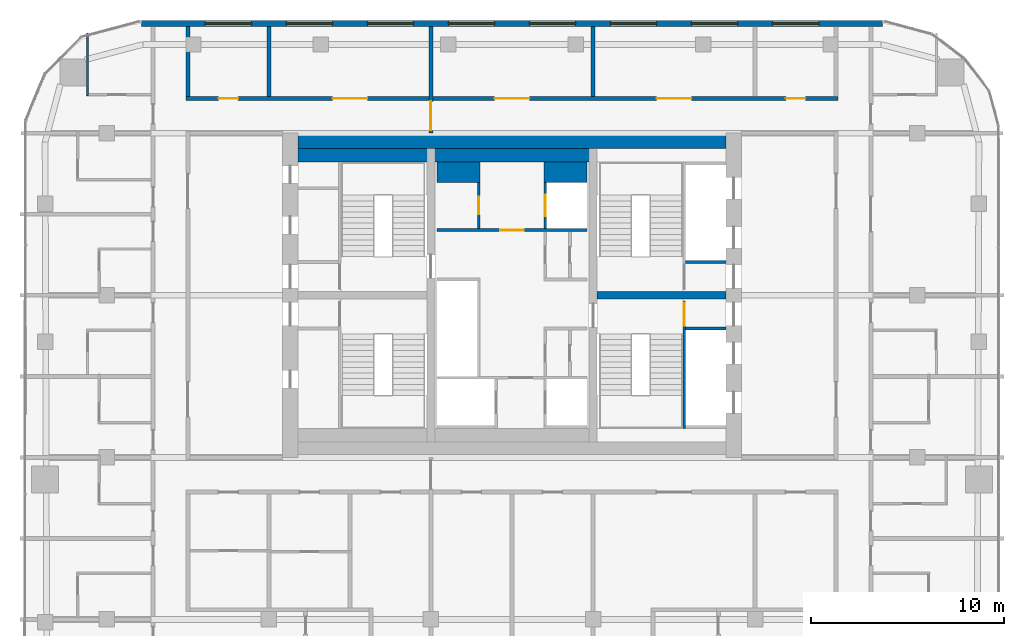
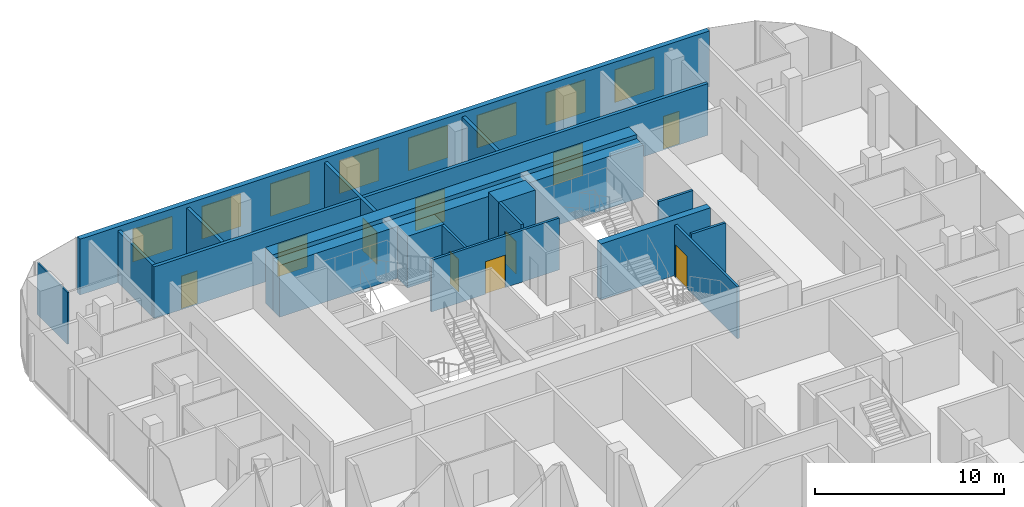
# One storey, part 19 of 22: 18 walls, 10 doors, 8 windows, 18 openings.
"""IFC4 building model written with IfcOpenShell, lengths in metres."""

from ifc_helpers import new_model, si_unit, direction, frame, frame_2d, origin, place, context, subcontext, project, spatial, rectangle, extrude, material, layer, layer_set, type_object, element, fill, save


model = new_model("IFC4")

# Units and contexts
model_context = context("Model", 3, precision=1e-05, world=origin(), true_north=direction((0.0, 1.0)))
body_context = subcontext(model_context, "Body", "Model", "MODEL_VIEW")
ifc_project = project(units=[si_unit("LENGTHUNIT", "METRE"), si_unit("AREAUNIT", "SQUARE_METRE"), si_unit("VOLUMEUNIT", "CUBIC_METRE"), si_unit("PLANEANGLEUNIT", "RADIAN"), si_unit("MASSUNIT", "GRAM", prefix="KILO")], contexts=[model_context])

# Site, building, storey
site_placement = place(None, origin())
site = spatial("IfcSite", under=ifc_project, at=site_placement, CompositionType="ELEMENT")
building_placement = place(site_placement, origin())
building = spatial("IfcBuilding", under=site, at=building_placement, Name="Marenta Gate Hotel Tower", CompositionType="ELEMENT")
storey_placement = place(building_placement, frame((0.0, 0.0, 187.699951171875)))
storey = spatial("IfcBuildingStorey", under=building, at=storey_placement, Name="L42", CompositionType="ELEMENT", Elevation=187.699951171875)

# Wall, openings, windows
ifc_material_1 = material(Name="Concrete C40 board-marked", Category="concrete")
ifc_layer_1 = layer(ifc_material_1, 0.300048828125)
ifc_layer_set_1 = layer_set([ifc_layer_1], Name="Concrete C40 board-marked")
wall_type_1 = type_object("IfcWallType", Name="Board-marked concrete wall 300 mm", PredefinedType="NOTDEFINED", material=ifc_layer_set_1)
wall_1_placement = place(storey_placement, frame((19.205810546875, 22.489990234375, 0.0), z_axis=(0.0, 0.0, 1.0), x_axis=(-1.0, 0.0, 0.0)))
wall_1 = element("IfcWall", 1, at=wall_1_placement, inside=storey, type_object=wall_type_1, Name="L42-CLD-N00", PredefinedType="NOTDEFINED", context=body_context, shape_type="SweptSolid", body=[
    extrude(rectangle(XDim=38.41162109375, YDim=0.300048828125, at=frame_2d((19.205810546875, 0.0))), origin(), (0.0, 0.0, 1.0), 3.60009765625),
])
opening_1_placement = place(wall_1_placement, frame((3.305908203125, 0.0, 0.89990234375)))
opening_1 = element("IfcOpeningElement", 2, at=opening_1_placement, cuts=wall_1, Name="Opening W1", PredefinedType="OPENING", context=body_context, shape_type="SweptSolid", body=[
    extrude(rectangle(XDim=2.39990234375, YDim=2.10009765625, at=frame_2d((1.199951171875, 1.050048828125))), frame((0.0, 0.14990234375, 0.0), z_axis=(0.0, -1.0, 0.0), x_axis=(1.0, 0.0, 0.0)), (0.0, 0.0, 1.0), 0.300048828125),
])
opening_2_placement = place(wall_1_placement, frame((7.505859375, 0.0, 0.89990234375)))
opening_2 = element("IfcOpeningElement", 3, at=opening_2_placement, cuts=wall_1, Name="Opening W1", PredefinedType="OPENING", context=body_context, shape_type="SweptSolid", body=[
    extrude(rectangle(XDim=2.39990234375, YDim=2.10009765625, at=frame_2d((1.199951171875, 1.050048828125))), frame((0.0, 0.14990234375, 0.0), z_axis=(0.0, -1.0, 0.0), x_axis=(1.0, 0.0, 0.0)), (0.0, 0.0, 1.0), 0.300048828125),
])
opening_3_placement = place(wall_1_placement, frame((11.705810546875, 0.0, 0.89990234375)))
opening_3 = element("IfcOpeningElement", 4, at=opening_3_placement, cuts=wall_1, Name="Opening W1", PredefinedType="OPENING", context=body_context, shape_type="SweptSolid", body=[
    extrude(rectangle(XDim=2.39990234375, YDim=2.10009765625, at=frame_2d((1.199951171875, 1.050048828125))), frame((0.0, 0.14990234375, 0.0), z_axis=(0.0, -1.0, 0.0), x_axis=(1.0, 0.0, 0.0)), (0.0, 0.0, 1.0), 0.300048828125),
])
opening_4_placement = place(wall_1_placement, frame((15.906005859375, 0.0, 0.89990234375)))
opening_4 = element("IfcOpeningElement", 5, at=opening_4_placement, cuts=wall_1, Name="Opening W1", PredefinedType="OPENING", context=body_context, shape_type="SweptSolid", body=[
    extrude(rectangle(XDim=2.39990234375, YDim=2.10009765625, at=frame_2d((1.199951171875, 1.050048828125))), frame((0.0, 0.14990234375, 0.0), z_axis=(0.0, -1.0, 0.0), x_axis=(1.0, 0.0, 0.0)), (0.0, 0.0, 1.0), 0.300048828125),
])
opening_5_placement = place(wall_1_placement, frame((20.10595703125, 0.0, 0.89990234375)))
opening_5 = element("IfcOpeningElement", 6, at=opening_5_placement, cuts=wall_1, Name="Opening W1", PredefinedType="OPENING", context=body_context, shape_type="SweptSolid", body=[
    extrude(rectangle(XDim=2.39990234375, YDim=2.10009765625, at=frame_2d((1.199951171875, 1.050048828125))), frame((0.0, 0.14990234375, 0.0), z_axis=(0.0, -1.0, 0.0), x_axis=(1.0, 0.0, 0.0)), (0.0, 0.0, 1.0), 0.300048828125),
])
opening_6_placement = place(wall_1_placement, frame((24.305908203125, 0.0, 0.89990234375)))
opening_6 = element("IfcOpeningElement", 7, at=opening_6_placement, cuts=wall_1, Name="Opening W1", PredefinedType="OPENING", context=body_context, shape_type="SweptSolid", body=[
    extrude(rectangle(XDim=2.39990234375, YDim=2.10009765625, at=frame_2d((1.199951171875, 1.050048828125))), frame((0.0, 0.14990234375, 0.0), z_axis=(0.0, -1.0, 0.0), x_axis=(1.0, 0.0, 0.0)), (0.0, 0.0, 1.0), 0.300048828125),
])
opening_7_placement = place(wall_1_placement, frame((28.505859375, 0.0, 0.89990234375)))
opening_7 = element("IfcOpeningElement", 8, at=opening_7_placement, cuts=wall_1, Name="Opening W1", PredefinedType="OPENING", context=body_context, shape_type="SweptSolid", body=[
    extrude(rectangle(XDim=2.39990234375, YDim=2.10009765625, at=frame_2d((1.199951171875, 1.050048828125))), frame((0.0, 0.14990234375, 0.0), z_axis=(0.0, -1.0, 0.0), x_axis=(1.0, 0.0, 0.0)), (0.0, 0.0, 1.0), 0.300048828125),
])
opening_8_placement = place(wall_1_placement, frame((32.705810546875, 0.0, 0.89990234375)))
opening_8 = element("IfcOpeningElement", 9, at=opening_8_placement, cuts=wall_1, Name="Opening W1", PredefinedType="OPENING", context=body_context, shape_type="SweptSolid", body=[
    extrude(rectangle(XDim=2.39990234375, YDim=2.10009765625, at=frame_2d((1.199951171875, 1.050048828125))), frame((0.0, 0.14990234375, 0.0), z_axis=(0.0, -1.0, 0.0), x_axis=(1.0, 0.0, 0.0)), (0.0, 0.0, 1.0), 0.300048828125),
])
ifc_material_2 = material(Name="Tinted insulated glass in bronze anodised frame", Category="glass")
window_type = type_object("IfcWindowType", Name="Window W1 2400x2100 bronze frame", PartitioningType="SINGLE_PANEL", PredefinedType="WINDOW", material=ifc_material_2)
window_1_placement = place(opening_1_placement, origin())
window_1 = element("IfcWindow", 10, at=window_1_placement, inside=storey, type_object=window_type, Name="Window W1", OverallHeight=2.10009765625, OverallWidth=2.39990234375, PartitioningType="SINGLE_PANEL", PredefinedType="WINDOW", context=body_context, shape_type="SweptSolid", body=[
    extrude(rectangle(XDim=2.39990234375, YDim=2.10009765625, at=frame_2d((1.199951171875, 1.050048828125))), frame((0.0, 0.030029296875, 0.0), z_axis=(0.0, -1.0, 0.0), x_axis=(1.0, 0.0, 0.0)), (0.0, 0.0, 1.0), 0.06005859375),
])
fill(opening_1, window_1)
window_2_placement = place(opening_2_placement, origin())
window_2 = element("IfcWindow", 11, at=window_2_placement, inside=storey, type_object=window_type, Name="Window W1", OverallHeight=2.10009765625, OverallWidth=2.39990234375, PartitioningType="SINGLE_PANEL", PredefinedType="WINDOW", context=body_context, shape_type="SweptSolid", body=[
    extrude(rectangle(XDim=2.39990234375, YDim=2.10009765625, at=frame_2d((1.199951171875, 1.050048828125))), frame((0.0, 0.030029296875, 0.0), z_axis=(0.0, -1.0, 0.0), x_axis=(1.0, 0.0, 0.0)), (0.0, 0.0, 1.0), 0.06005859375),
])
fill(opening_2, window_2)
window_3_placement = place(opening_3_placement, origin())
window_3 = element("IfcWindow", 12, at=window_3_placement, inside=storey, type_object=window_type, Name="Window W1", OverallHeight=2.10009765625, OverallWidth=2.39990234375, PartitioningType="SINGLE_PANEL", PredefinedType="WINDOW", context=body_context, shape_type="SweptSolid", body=[
    extrude(rectangle(XDim=2.39990234375, YDim=2.10009765625, at=frame_2d((1.199951171875, 1.050048828125))), frame((0.0, 0.030029296875, 0.0), z_axis=(0.0, -1.0, 0.0), x_axis=(1.0, 0.0, 0.0)), (0.0, 0.0, 1.0), 0.06005859375),
])
fill(opening_3, window_3)
window_4_placement = place(opening_4_placement, origin())
window_4 = element("IfcWindow", 13, at=window_4_placement, inside=storey, type_object=window_type, Name="Window W1", OverallHeight=2.10009765625, OverallWidth=2.39990234375, PartitioningType="SINGLE_PANEL", PredefinedType="WINDOW", context=body_context, shape_type="SweptSolid", body=[
    extrude(rectangle(XDim=2.39990234375, YDim=2.10009765625, at=frame_2d((1.199951171875, 1.050048828125))), frame((0.0, 0.030029296875, 0.0), z_axis=(0.0, -1.0, 0.0), x_axis=(1.0, 0.0, 0.0)), (0.0, 0.0, 1.0), 0.06005859375),
])
fill(opening_4, window_4)
window_5_placement = place(opening_5_placement, origin())
window_5 = element("IfcWindow", 14, at=window_5_placement, inside=storey, type_object=window_type, Name="Window W1", OverallHeight=2.10009765625, OverallWidth=2.39990234375, PartitioningType="SINGLE_PANEL", PredefinedType="WINDOW", context=body_context, shape_type="SweptSolid", body=[
    extrude(rectangle(XDim=2.39990234375, YDim=2.10009765625, at=frame_2d((1.199951171875, 1.050048828125))), frame((0.0, 0.030029296875, 0.0), z_axis=(0.0, -1.0, 0.0), x_axis=(1.0, 0.0, 0.0)), (0.0, 0.0, 1.0), 0.06005859375),
])
fill(opening_5, window_5)
window_6_placement = place(opening_6_placement, origin())
window_6 = element("IfcWindow", 15, at=window_6_placement, inside=storey, type_object=window_type, Name="Window W1", OverallHeight=2.10009765625, OverallWidth=2.39990234375, PartitioningType="SINGLE_PANEL", PredefinedType="WINDOW", context=body_context, shape_type="SweptSolid", body=[
    extrude(rectangle(XDim=2.39990234375, YDim=2.10009765625, at=frame_2d((1.199951171875, 1.050048828125))), frame((0.0, 0.030029296875, 0.0), z_axis=(0.0, -1.0, 0.0), x_axis=(1.0, 0.0, 0.0)), (0.0, 0.0, 1.0), 0.06005859375),
])
fill(opening_6, window_6)
window_7_placement = place(opening_7_placement, origin())
window_7 = element("IfcWindow", 16, at=window_7_placement, inside=storey, type_object=window_type, Name="Window W1", OverallHeight=2.10009765625, OverallWidth=2.39990234375, PartitioningType="SINGLE_PANEL", PredefinedType="WINDOW", context=body_context, shape_type="SweptSolid", body=[
    extrude(rectangle(XDim=2.39990234375, YDim=2.10009765625, at=frame_2d((1.199951171875, 1.050048828125))), frame((0.0, 0.030029296875, 0.0), z_axis=(0.0, -1.0, 0.0), x_axis=(1.0, 0.0, 0.0)), (0.0, 0.0, 1.0), 0.06005859375),
])
fill(opening_7, window_7)
window_8_placement = place(opening_8_placement, origin())
window_8 = element("IfcWindow", 17, at=window_8_placement, inside=storey, type_object=window_type, Name="Window W1", OverallHeight=2.10009765625, OverallWidth=2.39990234375, PartitioningType="SINGLE_PANEL", PredefinedType="WINDOW", context=body_context, shape_type="SweptSolid", body=[
    extrude(rectangle(XDim=2.39990234375, YDim=2.10009765625, at=frame_2d((1.199951171875, 1.050048828125))), frame((0.0, 0.030029296875, 0.0), z_axis=(0.0, -1.0, 0.0), x_axis=(1.0, 0.0, 0.0)), (0.0, 0.0, 1.0), 0.06005859375),
])
fill(opening_8, window_8)

# Wall, opening, door
ifc_material_3 = material(Name="Concrete blockwork", Category="masonry")
ifc_layer_2 = layer(ifc_material_3, 0.199951171875)
ifc_layer_set_2 = layer_set([ifc_layer_2], Name="Concrete blockwork")
wall_type_2 = type_object("IfcWallType", Name="Compartment wall 200 REI 180", PredefinedType="PARTITIONING", material=ifc_layer_set_2)
wall_2_placement = place(storey_placement, frame((-4.199951171875, 16.800048828125, 0.0), z_axis=(0.0, 0.0, 1.0), x_axis=(0.0, 1.0, 0.0)))
wall_2 = element("IfcWall", 18, at=wall_2_placement, inside=storey, type_object=wall_type_2, Name="L42-PTN-W082", PredefinedType="PARTITIONING", context=body_context, shape_type="SweptSolid", body=[
    extrude(rectangle(XDim=5.5400390625, YDim=0.199951171875, at=frame_2d((2.77001953125, 0.0))), origin(), (0.0, 0.0, 1.0), 3.340087890625),
])
opening_9_placement = place(wall_2_placement, frame((0.14990234375, 0.0, 0.0)))
opening_9 = element("IfcOpeningElement", 19, at=opening_9_placement, cuts=wall_2, Name="Opening G15-FD1", PredefinedType="OPENING", context=body_context, shape_type="SweptSolid", body=[
    extrude(rectangle(XDim=1.5, YDim=2.10009765625, at=frame_2d((0.75, 1.050048828125))), frame((0.0, 0.10009765625, 0.0), z_axis=(0.0, -1.0, 0.0), x_axis=(1.0, 0.0, 0.0)), (0.0, 0.0, 1.0), 0.199951171875),
])
ifc_material_4 = material(Name="Hollow steel door set", Category="steel")
door_type_1 = type_object("IfcDoorType", Name="Compartment fire door 1500x2100 EI 60", OperationType="DOUBLE_DOOR_DOUBLE_SWING", PredefinedType="DOOR", material=ifc_material_4)
door_1_placement = place(opening_9_placement, origin())
door_1 = element("IfcDoor", 20, at=door_1_placement, inside=storey, type_object=door_type_1, Name="L42-PD-FD01", OperationType="DOUBLE_DOOR_DOUBLE_SWING", OverallHeight=2.10009765625, OverallWidth=1.5, PredefinedType="DOOR", context=body_context, shape_type="SweptSolid", body=[
    extrude(rectangle(XDim=1.5, YDim=2.10009765625, at=frame_2d((0.75, 1.050048828125))), frame((0.0, 0.02490234375, 0.0), z_axis=(0.0, -1.0, 0.0), x_axis=(1.0, 0.0, 0.0)), (0.0, 0.0, 1.0), 0.050048828125),
])
fill(opening_9, door_1)

# Wall
ifc_material_5 = material(Name="Concrete C40", Category="concrete")
ifc_layer_3 = layer(ifc_material_5, 0.699951171875)
ifc_layer_set_3 = layer_set([ifc_layer_3], Name="Concrete C40")
wall_type_3 = type_object("IfcWallType", Name="Core lining wall 700 REI 180", PredefinedType="PARTITIONING", material=ifc_layer_set_3)
wall_3_placement = place(storey_placement, frame((-11.10009765625, 15.64990234375, 0.0), z_axis=(0.0, 0.0, 1.0), x_axis=(1.0, 0.0, 0.0)))
element("IfcWall", 21, at=wall_3_placement, inside=storey, type_object=wall_type_3, Name="L42-CP-LN-N", PredefinedType="PARTITIONING", context=body_context, shape_type="SweptSolid", body=[
    extrude(rectangle(XDim=22.2001953125, YDim=0.699951171875, at=frame_2d((11.10009765625, 0.0))), origin(), (0.0, 0.0, 1.0), 3.340087890625),
])

# Wall, opening, door
ifc_material_6 = material(Name="Concrete blockwork", Category="masonry")
ifc_layer_4 = layer(ifc_material_6, 0.14990234375)
ifc_layer_set_4 = layer_set([ifc_layer_4], Name="Concrete blockwork")
wall_type_4 = type_object("IfcWallType", Name="Core lobby partition 150 REI 180", PredefinedType="PARTITIONING", material=ifc_layer_set_4)
wall_4_placement = place(storey_placement, frame((-3.89990234375, 11.77490234375, 0.0), z_axis=(0.0, 0.0, 1.0), x_axis=(1.0, 0.0, 0.0)))
wall_4 = element("IfcWall", 22, at=wall_4_placement, inside=storey, type_object=wall_type_4, Name="L42-CP-CW-N", PredefinedType="PARTITIONING", context=body_context, shape_type="SweptSolid", body=[
    extrude(rectangle(XDim=7.7998046875, YDim=0.14990234375, at=frame_2d((3.89990234375, 0.0))), origin(), (0.0, 0.0, 1.0), 3.340087890625),
])
opening_10_placement = place(wall_4_placement, frame((3.300048828125, 0.0, 0.0)))
opening_10 = element("IfcOpeningElement", 23, at=opening_10_placement, cuts=wall_4, Name="Opening FD-FFN", PredefinedType="OPENING", context=body_context, shape_type="SweptSolid", body=[
    extrude(rectangle(XDim=1.199951171875, YDim=2.10009765625, at=frame_2d((0.60009765625, 1.050048828125))), frame((0.0, 0.074951171875, 0.0), z_axis=(0.0, -1.0, 0.0), x_axis=(1.0, 0.0, 0.0)), (0.0, 0.0, 1.0), 0.14990234375),
])
ifc_material_7 = material(Name="Steel", Category="steel")
door_type_2 = type_object("IfcDoorType", Name="Core lobby door 1200x2100 FD60", OperationType="SINGLE_SWING_LEFT", PredefinedType="DOOR", material=ifc_material_7)
door_2_placement = place(opening_10_placement, origin())
door_2 = element("IfcDoor", 24, at=door_2_placement, inside=storey, type_object=door_type_2, Name="FD-FFN", OperationType="SINGLE_SWING_LEFT", OverallHeight=2.10009765625, OverallWidth=1.199951171875, PredefinedType="DOOR", context=body_context, shape_type="SweptSolid", body=[
    extrude(rectangle(XDim=1.199951171875, YDim=2.10009765625, at=frame_2d((0.60009765625, 1.050048828125))), frame((0.0, 0.02490234375, 0.0), z_axis=(0.0, -1.0, 0.0), x_axis=(1.0, 0.0, 0.0)), (0.0, 0.0, 1.0), 0.050048828125),
])
fill(opening_10, door_2)

# Wall
ifc_material_8 = material(Name="Concrete blockwork", Category="masonry")
ifc_layer_5 = layer(ifc_material_8, 1.050048828125)
ifc_layer_set_5 = layer_set([ifc_layer_5], Name="Concrete blockwork")
wall_type_5 = type_object("IfcWallType", Name="Core room partition 1050 REI 180", PredefinedType="PARTITIONING", material=ifc_layer_set_5)
wall_5_placement = place(storey_placement, frame((-3.89990234375, 14.77490234375, 0.0), z_axis=(0.0, 0.0, 1.0), x_axis=(1.0, 0.0, 0.0)))
element("IfcWall", 25, at=wall_5_placement, inside=storey, type_object=wall_type_5, Name="L42-CP-CW-W-riser-N", PredefinedType="PARTITIONING", context=body_context, shape_type="SweptSolid", body=[
    extrude(rectangle(XDim=2.25, YDim=1.050048828125, at=frame_2d((1.125, 0.0))), origin(), (0.0, 0.0, 1.0), 3.340087890625),
])

# Wall, opening, door
ifc_material_9 = material(Name="Concrete blockwork", Category="masonry")
ifc_layer_6 = layer(ifc_material_9, 0.14990234375)
ifc_layer_set_6 = layer_set([ifc_layer_6], Name="Concrete blockwork")
wall_type_6 = type_object("IfcWallType", Name="Core room partition 150 REI 180", PredefinedType="PARTITIONING", material=ifc_layer_set_6)
wall_6_placement = place(storey_placement, frame((-1.72509765625, 11.85009765625, 0.0), z_axis=(0.0, 0.0, 1.0), x_axis=(0.0, 1.0, 0.0)))
wall_6 = element("IfcWall", 26, at=wall_6_placement, inside=storey, type_object=wall_type_6, Name="L42-CP-CW-W-riser-front", PredefinedType="PARTITIONING", context=body_context, shape_type="SweptSolid", body=[
    extrude(rectangle(XDim=2.39990234375, YDim=0.14990234375, at=frame_2d((1.199951171875, 0.0))), origin(), (0.0, 0.0, 1.0), 3.340087890625),
])
opening_11_placement = place(wall_6_placement, frame((0.75, 0.0, 0.0)))
opening_11 = element("IfcOpeningElement", 27, at=opening_11_placement, cuts=wall_6, Name="Opening RD-CRISER", PredefinedType="OPENING", context=body_context, shape_type="SweptSolid", body=[
    extrude(rectangle(XDim=0.89990234375, YDim=2.10009765625, at=frame_2d((0.449951171875, 1.050048828125))), frame((0.0, 0.074951171875, 0.0), z_axis=(0.0, -1.0, 0.0), x_axis=(1.0, 0.0, 0.0)), (0.0, 0.0, 1.0), 0.14990234375),
])
ifc_material_10 = material(Name="Steel", Category="steel")
door_type_3 = type_object("IfcDoorType", Name="Core riser door 900x2100 FD60", OperationType="SINGLE_SWING_LEFT", PredefinedType="DOOR", material=ifc_material_10)
door_3_placement = place(opening_11_placement, origin())
door_3 = element("IfcDoor", 28, at=door_3_placement, inside=storey, type_object=door_type_3, Name="RD-CRISER", OperationType="SINGLE_SWING_LEFT", OverallHeight=2.10009765625, OverallWidth=0.89990234375, PredefinedType="DOOR", context=body_context, shape_type="SweptSolid", body=[
    extrude(rectangle(XDim=0.89990234375, YDim=2.10009765625, at=frame_2d((0.449951171875, 1.050048828125))), frame((0.0, 0.02490234375, 0.0), z_axis=(0.0, -1.0, 0.0), x_axis=(1.0, 0.0, 0.0)), (0.0, 0.0, 1.0), 0.050048828125),
])
fill(opening_11, door_3)

# Walls
ifc_material_11 = material(Name="Concrete C40", Category="concrete")
ifc_layer_7 = layer(ifc_material_11, 1.050048828125)
ifc_layer_set_7 = layer_set([ifc_layer_7], Name="Concrete C40")
wall_type_7 = type_object("IfcWallType", Name="Core shaft wall 1050 REI 180", PredefinedType="SHEAR", material=ifc_layer_set_7)
wall_7_placement = place(storey_placement, frame((1.64990234375, 14.77490234375, 0.0), z_axis=(0.0, 0.0, 1.0), x_axis=(1.0, 0.0, 0.0)))
element("IfcWall", 29, at=wall_7_placement, inside=storey, type_object=wall_type_7, Name="L42-SHF-CE-N-top", PredefinedType="SHEAR", context=body_context, shape_type="SweptSolid", body=[
    extrude(rectangle(XDim=2.25, YDim=1.050048828125, at=frame_2d((1.125, 0.0))), origin(), (0.0, 0.0, 1.0), 3.60009765625),
])
ifc_material_12 = material(Name="Concrete C40", Category="concrete")
ifc_layer_8 = layer(ifc_material_12, 0.14990234375)
ifc_layer_set_8 = layer_set([ifc_layer_8], Name="Concrete C40")
wall_type_8 = type_object("IfcWallType", Name="Core shaft wall 150 REI 180", PredefinedType="SHEAR", material=ifc_layer_set_8)
for number, where, z_axis, x_axis, name in (
    (30, (9.0, 6.675048828125, 0.0), (0.0, 0.0, 1.0), (1.0, 0.0, 0.0), "L42-SHF-SW-ES-2"),
    (31, (9.0, 10.125, 0.0), (0.0, 0.0, 1.0), (1.0, 0.0, 0.0), "L42-SHF-SW-EN-2"),
):
    element("IfcWall", number, at=place(storey_placement, frame(where, z_axis=z_axis, x_axis=x_axis)), inside=storey, type_object=wall_type_8, Name=name, PredefinedType="SHEAR", context=body_context, shape_type="SweptSolid", body=[
        extrude(rectangle(XDim=2.10009765625, YDim=0.14990234375, at=frame_2d((1.050048828125, 0.0))), origin(), (0.0, 0.0, 1.0), 3.60009765625),
    ])

# Wall, opening, door
wall_8_placement = place(storey_placement, frame((1.72509765625, 11.85009765625, 0.0), z_axis=(0.0, 0.0, 1.0), x_axis=(0.0, 1.0, 0.0)))
wall_8 = element("IfcWall", 32, at=wall_8_placement, inside=storey, type_object=wall_type_8, Name="L42-SHF-CE-N-front2", PredefinedType="SHEAR", context=body_context, shape_type="SweptSolid", body=[
    extrude(rectangle(XDim=2.39990234375, YDim=0.14990234375, at=frame_2d((1.199951171875, 0.0))), origin(), (0.0, 0.0, 1.0), 3.60009765625),
])
opening_12_placement = place(wall_8_placement, frame((0.64990234375, 0.0, 0.0)))
opening_12 = element("IfcOpeningElement", 33, at=opening_12_placement, cuts=wall_8, Name="Opening LD-FF2", PredefinedType="OPENING", context=body_context, shape_type="SweptSolid", body=[
    extrude(rectangle(XDim=1.10009765625, YDim=2.10009765625, at=frame_2d((0.550048828125, 1.050048828125))), frame((0.0, 0.074951171875, 0.0), z_axis=(0.0, -1.0, 0.0), x_axis=(1.0, 0.0, 0.0)), (0.0, 0.0, 1.0), 0.14990234375),
])
ifc_material_13 = material(Name="Steel", Category="steel")
door_type_4 = type_object("IfcDoorType", Name="Core lift landing door 1100x2100 E 60", OperationType="SLIDING_TO_LEFT", PredefinedType="DOOR", material=ifc_material_13)
door_4_placement = place(opening_12_placement, origin())
door_4 = element("IfcDoor", 34, at=door_4_placement, inside=storey, type_object=door_type_4, Name="LD-FF2", OperationType="SLIDING_TO_LEFT", OverallHeight=2.10009765625, OverallWidth=1.10009765625, PredefinedType="DOOR", context=body_context, shape_type="SweptSolid", body=[
    extrude(rectangle(XDim=1.10009765625, YDim=2.10009765625, at=frame_2d((0.550048828125, 1.050048828125))), frame((0.0, 0.02490234375, 0.0), z_axis=(0.0, -1.0, 0.0), x_axis=(1.0, 0.0, 0.0)), (0.0, 0.0, 1.0), 0.050048828125),
])
fill(opening_12, door_4)

ifc_material_14 = material(Name="Concrete C40", Category="concrete")
ifc_layer_9 = layer(ifc_material_14, 0.14990234375)
ifc_layer_set_9 = layer_set([ifc_layer_9], Name="Concrete C40")
wall_type_9 = type_object("IfcWallType", Name="Core stair enclosure wall 150 REI 180", PredefinedType="SHEAR", material=ifc_layer_set_9)
wall_9_placement = place(storey_placement, frame((8.925048828125, 1.5, 0.0), z_axis=(0.0, 0.0, 1.0), x_axis=(0.0, 1.0, 0.0)))
wall_9 = element("IfcWall", 35, at=wall_9_placement, inside=storey, type_object=wall_type_9, Name="L42-SHF-SW-ES-3", PredefinedType="SHEAR", context=body_context, shape_type="SweptSolid", body=[
    extrude(rectangle(XDim=6.60009765625, YDim=0.14990234375, at=frame_2d((3.300048828125, 0.0))), origin(), (0.0, 0.0, 1.0), 3.340087890625),
])
opening_13_placement = place(wall_9_placement, frame((5.324951171875, 0.0, 0.0)))
opening_13 = element("IfcOpeningElement", 36, at=opening_13_placement, cuts=wall_9, Name="Opening SD-ES", PredefinedType="OPENING", context=body_context, shape_type="SweptSolid", body=[
    extrude(rectangle(XDim=1.199951171875, YDim=2.10009765625, at=frame_2d((0.60009765625, 1.050048828125))), frame((0.0, 0.074951171875, 0.0), z_axis=(0.0, -1.0, 0.0), x_axis=(1.0, 0.0, 0.0)), (0.0, 0.0, 1.0), 0.14990234375),
])
ifc_material_15 = material(Name="Steel", Category="steel")
door_type_5 = type_object("IfcDoorType", Name="Core stair door 1200x2100 FD60", OperationType="SINGLE_SWING_LEFT", PredefinedType="DOOR", material=ifc_material_15)
door_5_placement = place(opening_13_placement, origin())
door_5 = element("IfcDoor", 37, at=door_5_placement, inside=storey, type_object=door_type_5, Name="SD-ES", OperationType="SINGLE_SWING_LEFT", OverallHeight=2.10009765625, OverallWidth=1.199951171875, PredefinedType="DOOR", context=body_context, shape_type="SweptSolid", body=[
    extrude(rectangle(XDim=1.199951171875, YDim=2.10009765625, at=frame_2d((0.60009765625, 1.050048828125))), frame((0.0, 0.02490234375, 0.0), z_axis=(0.0, -1.0, 0.0), x_axis=(1.0, 0.0, 0.0)), (0.0, 0.0, 1.0), 0.050048828125),
])
fill(opening_13, door_5)

# Walls
ifc_material_16 = material(Name="Concrete C60", Category="concrete")
ifc_layer_10 = layer(ifc_material_16, 0.800048828125)
ifc_layer_set_10 = layer_set([ifc_layer_10], Name="Concrete C60")
wall_type_10 = type_object("IfcWallType", Name="Core wall 800 C60", PredefinedType="SHEAR", material=ifc_layer_set_10)
wall_10_placement = place(storey_placement, frame((-11.10009765625, 16.39990234375, 0.0), z_axis=(0.0, 0.0, 1.0), x_axis=(1.0, 0.0, 0.0)))
element("IfcWall", 38, at=wall_10_placement, inside=storey, type_object=wall_type_10, Name="L42-CORE-N", PredefinedType="SHEAR", context=body_context, shape_type="SweptSolid", body=[
    extrude(rectangle(XDim=22.2001953125, YDim=0.800048828125, at=frame_2d((11.10009765625, 0.0))), origin(), (0.0, 0.0, 1.0), 3.60009765625),
])
ifc_material_17 = material(Name="Concrete C60", Category="concrete")
ifc_layer_11 = layer(ifc_material_17, 0.39990234375)
ifc_layer_set_11 = layer_set([ifc_layer_11], Name="Concrete C60")
wall_type_11 = type_object("IfcWallType", Name="Core web 400 C60", PredefinedType="SHEAR", material=ifc_layer_set_11)
wall_11_placement = place(storey_placement, frame((4.39990234375, 8.39990234375, 0.0), z_axis=(0.0, 0.0, 1.0), x_axis=(1.0, 0.0, 0.0)))
element("IfcWall", 39, at=wall_11_placement, inside=storey, type_object=wall_type_11, Name="L42-CORE-W4", PredefinedType="SHEAR", context=body_context, shape_type="SweptSolid", body=[
    extrude(rectangle(XDim=6.7001953125, YDim=0.39990234375, at=frame_2d((3.35009765625, 0.0))), origin(), (0.0, 0.0, 1.0), 3.60009765625),
])
ifc_material_18 = material(Name="Gypsum board on steel stud", Category="steel")
ifc_layer_12 = layer(ifc_material_18, 0.199951171875)
ifc_layer_set_12 = layer_set([ifc_layer_12], Name="Gypsum board on steel stud")
wall_type_12 = type_object("IfcWallType", Name="Room corridor wall 200 EI 60", PredefinedType="PARTITIONING", material=ifc_layer_set_12)
wall_12_placement = place(storey_placement, frame((-16.800048828125, 18.699951171875, 0.0), z_axis=(0.0, 0.0, 1.0), x_axis=(0.0, 1.0, 0.0)))
element("IfcWall", 40, at=wall_12_placement, inside=storey, type_object=wall_type_12, Name="L42-PTN-W109", PredefinedType="PARTITIONING", context=body_context, shape_type="SweptSolid", body=[
    extrude(rectangle(XDim=3.64013671875, YDim=0.199951171875, at=frame_2d((1.820068359375, 0.0))), origin(), (0.0, 0.0, 1.0), 3.340087890625),
])

# Wall, openings, doors
wall_13_placement = place(storey_placement, frame((-16.89990234375, 18.60009765625, 0.0), z_axis=(0.0, 0.0, 1.0), x_axis=(1.0, 0.0, 0.0)))
wall_13 = element("IfcWall", 41, at=wall_13_placement, inside=storey, type_object=wall_type_12, Name="L42-PTN-W113", PredefinedType="PARTITIONING", context=body_context, shape_type="SweptSolid", body=[
    extrude(rectangle(XDim=33.7998046875, YDim=0.199951171875, at=frame_2d((16.89990234375, 0.0))), origin(), (0.0, 0.0, 1.0), 3.340087890625),
])
opening_14_placement = place(wall_13_placement, frame((1.699951171875, 0.0, 0.0)))
opening_14 = element("IfcOpeningElement", 42, at=opening_14_placement, cuts=wall_13, Name="Opening G15-37", PredefinedType="OPENING", context=body_context, shape_type="SweptSolid", body=[
    extrude(rectangle(XDim=1.0, YDim=2.10009765625, at=frame_2d((0.5, 1.050048828125))), frame((0.0, 0.10009765625, 0.0), z_axis=(0.0, -1.0, 0.0), x_axis=(1.0, 0.0, 0.0)), (0.0, 0.0, 1.0), 0.199951171875),
])
opening_15_placement = place(wall_13_placement, frame((7.60009765625, 0.0, 0.0)))
opening_15 = element("IfcOpeningElement", 43, at=opening_15_placement, cuts=wall_13, Name="Opening G15-38", PredefinedType="OPENING", context=body_context, shape_type="SweptSolid", body=[
    extrude(rectangle(XDim=1.800048828125, YDim=2.10009765625, at=frame_2d((0.89990234375, 1.050048828125))), frame((0.0, 0.10009765625, 0.0), z_axis=(0.0, -1.0, 0.0), x_axis=(1.0, 0.0, 0.0)), (0.0, 0.0, 1.0), 0.199951171875),
])
opening_16_placement = place(wall_13_placement, frame((16.0, 0.0, 0.0)))
opening_16 = element("IfcOpeningElement", 44, at=opening_16_placement, cuts=wall_13, Name="Opening G15-39", PredefinedType="OPENING", context=body_context, shape_type="SweptSolid", body=[
    extrude(rectangle(XDim=1.800048828125, YDim=2.10009765625, at=frame_2d((0.89990234375, 1.050048828125))), frame((0.0, 0.10009765625, 0.0), z_axis=(0.0, -1.0, 0.0), x_axis=(1.0, 0.0, 0.0)), (0.0, 0.0, 1.0), 0.199951171875),
])
opening_17_placement = place(wall_13_placement, frame((24.39990234375, 0.0, 0.0)))
opening_17 = element("IfcOpeningElement", 45, at=opening_17_placement, cuts=wall_13, Name="Opening G15-40", PredefinedType="OPENING", context=body_context, shape_type="SweptSolid", body=[
    extrude(rectangle(XDim=1.800048828125, YDim=2.10009765625, at=frame_2d((0.89990234375, 1.050048828125))), frame((0.0, 0.10009765625, 0.0), z_axis=(0.0, -1.0, 0.0), x_axis=(1.0, 0.0, 0.0)), (0.0, 0.0, 1.0), 0.199951171875),
])
opening_18_placement = place(wall_13_placement, frame((31.10009765625, 0.0, 0.0)))
opening_18 = element("IfcOpeningElement", 46, at=opening_18_placement, cuts=wall_13, Name="Opening G15-41", PredefinedType="OPENING", context=body_context, shape_type="SweptSolid", body=[
    extrude(rectangle(XDim=1.0, YDim=2.10009765625, at=frame_2d((0.5, 1.050048828125))), frame((0.0, 0.10009765625, 0.0), z_axis=(0.0, -1.0, 0.0), x_axis=(1.0, 0.0, 0.0)), (0.0, 0.0, 1.0), 0.199951171875),
])
ifc_material_19 = material(Name="Timber door leaf", Category="wood")
door_type_6 = type_object("IfcDoorType", Name="Room amenity door 1000x2100 EI 30", OperationType="NOTDEFINED", PredefinedType="DOOR", material=ifc_material_19)
door_6_placement = place(opening_14_placement, origin())
door_6 = element("IfcDoor", 47, at=door_6_placement, inside=storey, type_object=door_type_6, Name="L42-PD-D037", OperationType="SINGLE_SWING_LEFT", OverallHeight=2.10009765625, OverallWidth=1.0, PredefinedType="DOOR", context=body_context, shape_type="SweptSolid", body=[
    extrude(rectangle(XDim=1.0, YDim=2.10009765625, at=frame_2d((0.5, 1.050048828125))), frame((0.0, 0.02490234375, 0.0), z_axis=(0.0, -1.0, 0.0), x_axis=(1.0, 0.0, 0.0)), (0.0, 0.0, 1.0), 0.050048828125),
])
fill(opening_14, door_6)
door_7_placement = place(opening_18_placement, origin())
door_7 = element("IfcDoor", 48, at=door_7_placement, inside=storey, type_object=door_type_6, Name="L42-PD-D041", OperationType="SINGLE_SWING_LEFT", OverallHeight=2.10009765625, OverallWidth=1.0, PredefinedType="DOOR", context=body_context, shape_type="SweptSolid", body=[
    extrude(rectangle(XDim=1.0, YDim=2.10009765625, at=frame_2d((0.5, 1.050048828125))), frame((0.0, 0.02490234375, 0.0), z_axis=(0.0, -1.0, 0.0), x_axis=(1.0, 0.0, 0.0)), (0.0, 0.0, 1.0), 0.050048828125),
])
fill(opening_18, door_7)
ifc_material_20 = material(Name="Timber door leaf", Category="wood")
door_type_7 = type_object("IfcDoorType", Name="Room amenity door 1800x2100 EI 30", OperationType="DOUBLE_DOOR_SINGLE_SWING", PredefinedType="DOOR", material=ifc_material_20)
door_8_placement = place(opening_15_placement, origin())
door_8 = element("IfcDoor", 49, at=door_8_placement, inside=storey, type_object=door_type_7, Name="L42-PD-D038", OperationType="DOUBLE_DOOR_SINGLE_SWING", OverallHeight=2.10009765625, OverallWidth=1.800048828125, PredefinedType="DOOR", context=body_context, shape_type="SweptSolid", body=[
    extrude(rectangle(XDim=1.800048828125, YDim=2.10009765625, at=frame_2d((0.89990234375, 1.050048828125))), frame((0.0, 0.02490234375, 0.0), z_axis=(0.0, -1.0, 0.0), x_axis=(1.0, 0.0, 0.0)), (0.0, 0.0, 1.0), 0.050048828125),
])
fill(opening_15, door_8)
door_9_placement = place(opening_16_placement, origin())
door_9 = element("IfcDoor", 50, at=door_9_placement, inside=storey, type_object=door_type_7, Name="L42-PD-D039", OperationType="DOUBLE_DOOR_SINGLE_SWING", OverallHeight=2.10009765625, OverallWidth=1.800048828125, PredefinedType="DOOR", context=body_context, shape_type="SweptSolid", body=[
    extrude(rectangle(XDim=1.800048828125, YDim=2.10009765625, at=frame_2d((0.89990234375, 1.050048828125))), frame((0.0, 0.02490234375, 0.0), z_axis=(0.0, -1.0, 0.0), x_axis=(1.0, 0.0, 0.0)), (0.0, 0.0, 1.0), 0.050048828125),
])
fill(opening_16, door_9)
door_10_placement = place(opening_17_placement, origin())
door_10 = element("IfcDoor", 51, at=door_10_placement, inside=storey, type_object=door_type_7, Name="L42-PD-D040", OperationType="DOUBLE_DOOR_SINGLE_SWING", OverallHeight=2.10009765625, OverallWidth=1.800048828125, PredefinedType="DOOR", context=body_context, shape_type="SweptSolid", body=[
    extrude(rectangle(XDim=1.800048828125, YDim=2.10009765625, at=frame_2d((0.89990234375, 1.050048828125))), frame((0.0, 0.02490234375, 0.0), z_axis=(0.0, -1.0, 0.0), x_axis=(1.0, 0.0, 0.0)), (0.0, 0.0, 1.0), 0.050048828125),
])
fill(opening_17, door_10)

# Walls
ifc_material_21 = material(Name="Gypsum board on steel stud", Category="steel")
ifc_layer_13 = layer(ifc_material_21, 0.10009765625)
ifc_layer_set_13 = layer_set([ifc_layer_13], Name="Gypsum board on steel stud")
wall_type_13 = type_object("IfcWallType", Name="Room partition 100", PredefinedType="PARTITIONING", material=ifc_layer_set_13)
wall_14_placement = place(storey_placement, frame((-22.0, 18.75, 0.0), z_axis=(0.0, 0.0, 1.0), x_axis=(0.0, 1.0, 0.0)))
element("IfcWall", 52, at=wall_14_placement, inside=storey, type_object=wall_type_13, Name="L42-PTN-W122", PredefinedType="PARTITIONING", context=body_context, shape_type="SweptSolid", body=[
    extrude(rectangle(XDim=3.22900390625, YDim=0.10009765625, at=frame_2d((1.614501953125, 0.0))), origin(), (0.0, 0.0, 1.0), 3.340087890625),
])
ifc_material_22 = material(Name="Gypsum board on steel stud", Category="steel")
ifc_layer_14 = layer(ifc_material_22, 0.199951171875)
ifc_layer_set_14 = layer_set([ifc_layer_14], Name="Gypsum board on steel stud")
wall_type_14 = type_object("IfcWallType", Name="Room party wall 200 EI 60", PredefinedType="PARTITIONING", material=ifc_layer_set_14)
for number, where, z_axis, x_axis, name in (
    (53, (4.199951171875, 18.699951171875, 0.0), (0.0, 0.0, 1.0), (0.0, 1.0, 0.0), "L42-PTN-W067"),
    (54, (-12.60009765625, 18.699951171875, 0.0), (0.0, 0.0, 1.0), (0.0, 1.0, 0.0), "L42-PTN-W101"),
):
    element("IfcWall", number, at=place(storey_placement, frame(where, z_axis=z_axis, x_axis=x_axis)), inside=storey, type_object=wall_type_14, Name=name, PredefinedType="PARTITIONING", context=body_context, shape_type="SweptSolid", body=[
        extrude(rectangle(XDim=3.64013671875, YDim=0.199951171875, at=frame_2d((1.820068359375, 0.0))), origin(), (0.0, 0.0, 1.0), 3.340087890625),
    ])

save(model, "model.ifc")
